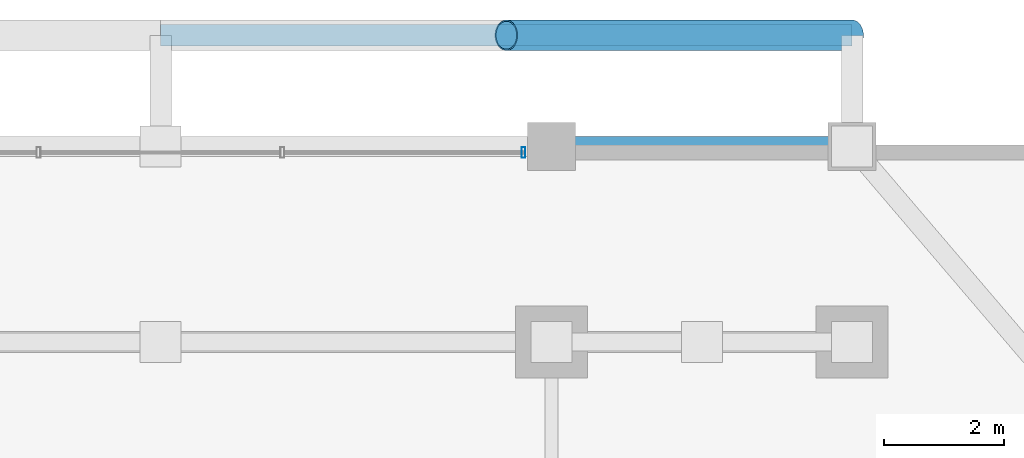
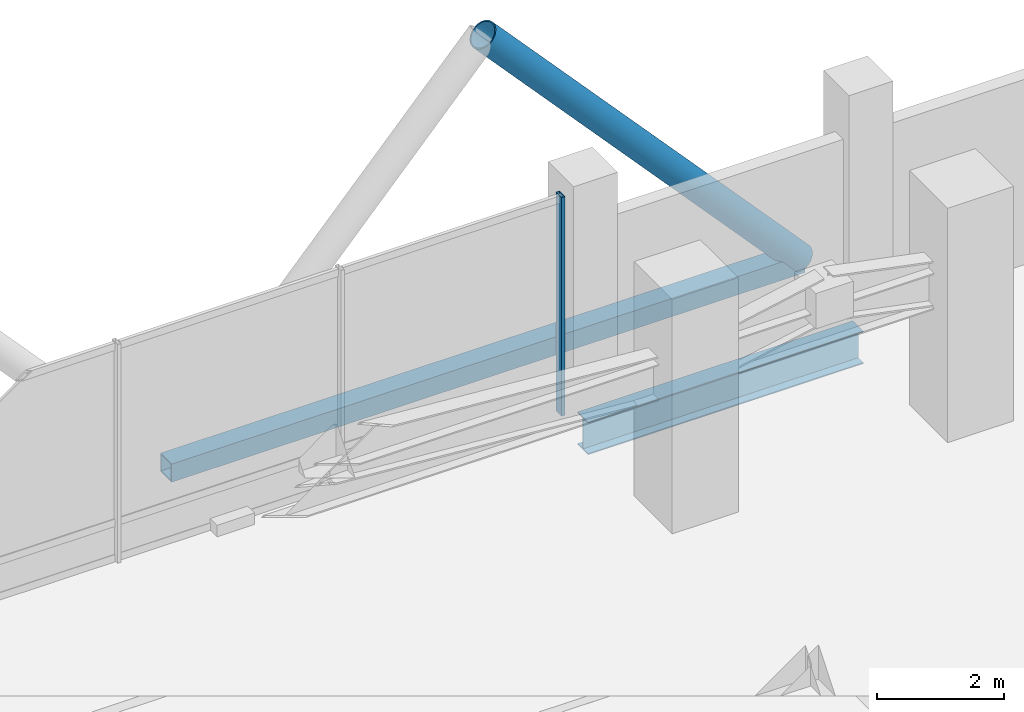
# One storey, part 16 of 22: 3 members, 1 beam, 1 element without a shape of its own.
"""IFC4 building model written with IfcOpenShell, lengths in metres."""

from ifc_helpers import new_model, si_unit, direction, frame, origin, origin_2d, place, context, subcontext, project, spatial, hollow_rectangle, hollow_circle, i_section, extrude, material, layer, layer_set, material_profile, profile_set, type_object, element, aggregate, save


model = new_model("IFC4")

# Units and contexts
model_context = context("Model", 3, precision=1e-05, world=origin(), true_north=direction((0.0, 1.0)))
body_context = subcontext(model_context, "Body", "Model", "MODEL_VIEW")
ifc_project = project(units=[si_unit("LENGTHUNIT", "METRE"), si_unit("AREAUNIT", "SQUARE_METRE"), si_unit("VOLUMEUNIT", "CUBIC_METRE"), si_unit("PLANEANGLEUNIT", "RADIAN"), si_unit("MASSUNIT", "GRAM", prefix="KILO")], contexts=[model_context])

# Site, building, storey
site_placement = place(None, origin())
site = spatial("IfcSite", under=ifc_project, at=site_placement, CompositionType="ELEMENT")
building_placement = place(site_placement, origin())
building = spatial("IfcBuilding", under=site, at=building_placement, Name="Barlavira Tower and Art Museum", CompositionType="ELEMENT")
storey_placement = place(building_placement, frame((0.0, 0.0, 120.60009765625)))
storey = spatial("IfcBuildingStorey", under=building, at=storey_placement, Name="L30", CompositionType="ELEMENT", Elevation=120.60009765625)

# Curtain wall, member
ifc_material_1 = material(Name="Low-iron coastal laminated glass", Category="glass")
ifc_layer = layer(ifc_material_1, 0.18994140625, Name="Low-iron coastal laminated glass")
ifc_layer_set = layer_set([ifc_layer], Name="Low-iron coastal laminated glass")
curtain_wall_type = type_object("IfcCurtainWallType", Name="Pale-Metal Unitised Curtain Wall Zone 2", PredefinedType="NOTDEFINED", material=ifc_layer_set)
curtain_wall_placement = place(storey_placement, origin())
curtain_wall = element("IfcCurtainWall", 1, at=curtain_wall_placement, inside=storey, type_object=curtain_wall_type, Name="L30 Curtain Wall CW2-L30-N-B3", PredefinedType="NOTDEFINED")
ifc_material_2 = material(Name="Pale anodised aluminium", Category="aluminium")
ifc_material_profile_1 = material_profile(ifc_material_2, hollow_rectangle(XDim=0.06494140625, YDim=0.179931640625, WallThickness=0.00390625, at=origin_2d()), Name="ALU-MULL 65x180x4")
ifc_profile_set_1 = profile_set([ifc_material_profile_1], Name="Pale anodised aluminium")
member_type_1 = type_object("IfcMemberType", Name="Curtain Wall Pale-Metal Mullion 65x180", PredefinedType="MULLION", material=ifc_profile_set_1)
member_1_placement = place(storey_placement, frame((6.034912109375, 23.14990234375, 0.0), z_axis=(0.0, 0.0, 1.0), x_axis=(-1.0, 0.0, 0.0)))
member_1 = element("IfcMember", 2, at=member_1_placement, type_object=member_type_1, Name="CW2-L30-N-B3 Mullion 0", PredefinedType="MULLION", context=body_context, shape_type="SweptSolid", body=[
    extrude(hollow_rectangle(XDim=0.06494140625, YDim=0.179931640625, WallThickness=0.00390625, at=origin_2d()), origin(), (0.0, 0.0, 1.0), 4.199951171875),
])
aggregate(curtain_wall, [member_1])

# Members
ifc_material_3 = material(Name="Steel S355", Category="steel")
ifc_material_profile_2 = material_profile(ifc_material_3, hollow_circle(Radius=0.25390625, WallThickness=0.022216796875, at=origin_2d()), Name="CHS 508.0x22.2")
ifc_profile_set_2 = profile_set([ifc_material_profile_2], Name="Steel S355")
member_type_2 = type_object("IfcMemberType", Name="Pale-Metal Exoskeleton Diagrid Tube CHS 508x22 Steel S355", PredefinedType="BRACE", material=ifc_profile_set_2)
member_2_placement = place(storey_placement, frame((11.5, 25.10009765625, -0.1201171875), z_axis=(-0.67412750573, 0.0, 0.738614991736), x_axis=(0.0, -1.0, 0.0)))
element("IfcMember", 3, at=member_2_placement, inside=storey, type_object=member_type_2, Name="L30 Exoskeleton Diagrid Tube N", PredefinedType="BRACE", context=body_context, shape_type="SweptSolid", body=[
    extrude(hollow_circle(Radius=0.25390625, WallThickness=0.022216796875, at=origin_2d()), origin(), (0.0, 0.0, 1.0), 8.529541015625),
])
ifc_material_profile_3 = material_profile(ifc_material_3, hollow_rectangle(XDim=0.35009765625, YDim=0.35009765625, WallThickness=0.02001953125, at=origin_2d()), Name="SHS 350x350x20.0")
ifc_profile_set_3 = profile_set([ifc_material_profile_3], Name="Steel S355")
member_type_3 = type_object("IfcMemberType", Name="Pale-Metal Exoskeleton Ring Strut SHS 350x350x20 Steel S355", PredefinedType="STRUT", material=ifc_profile_set_3)
member_3_placement = place(storey_placement, frame((0.0, 25.10009765625, -0.1201171875), z_axis=(1.0, 0.0, 0.0), x_axis=(0.0, 1.0, 0.0)))
element("IfcMember", 4, at=member_3_placement, inside=storey, type_object=member_type_3, Name="L30 Exoskeleton Ring Strut N", PredefinedType="STRUT", context=body_context, shape_type="SweptSolid", body=[
    extrude(hollow_rectangle(XDim=0.35009765625, YDim=0.35009765625, WallThickness=0.02001953125, at=origin_2d()), origin(), (0.0, 0.0, 1.0), 11.5),
])

# Beam
ifc_material_profile_4 = material_profile(ifc_material_3, i_section(OverallWidth=0.327880859375, OverallDepth=0.62890625, WebThickness=0.013916015625, FlangeThickness=0.021484375, at=origin_2d()), Name="W610x174.0")
ifc_profile_set_4 = profile_set([ifc_material_profile_4], Name="Steel S355")
beam_type = type_object("IfcBeamType", Name="Perimeter Spandrel Edge Beam W610x174 Steel S355", PredefinedType="SPANDREL", material=ifc_profile_set_4)
beam_placement = place(storey_placement, frame((6.5, 23.25, -0.614501953125), z_axis=(1.0, 0.0, 0.0), x_axis=(0.0, 1.0, 0.0)))
element("IfcBeam", 5, at=beam_placement, inside=storey, type_object=beam_type, Name="L30 Spandrel 9", PredefinedType="SPANDREL", context=body_context, shape_type="SweptSolid", body=[
    extrude(i_section(OverallWidth=0.327880859375, OverallDepth=0.62890625, WebThickness=0.013916015625, FlangeThickness=0.021484375, at=origin_2d()), origin(), (0.0, 0.0, 1.0), 5.0),
])

save(model, "model.ifc")
